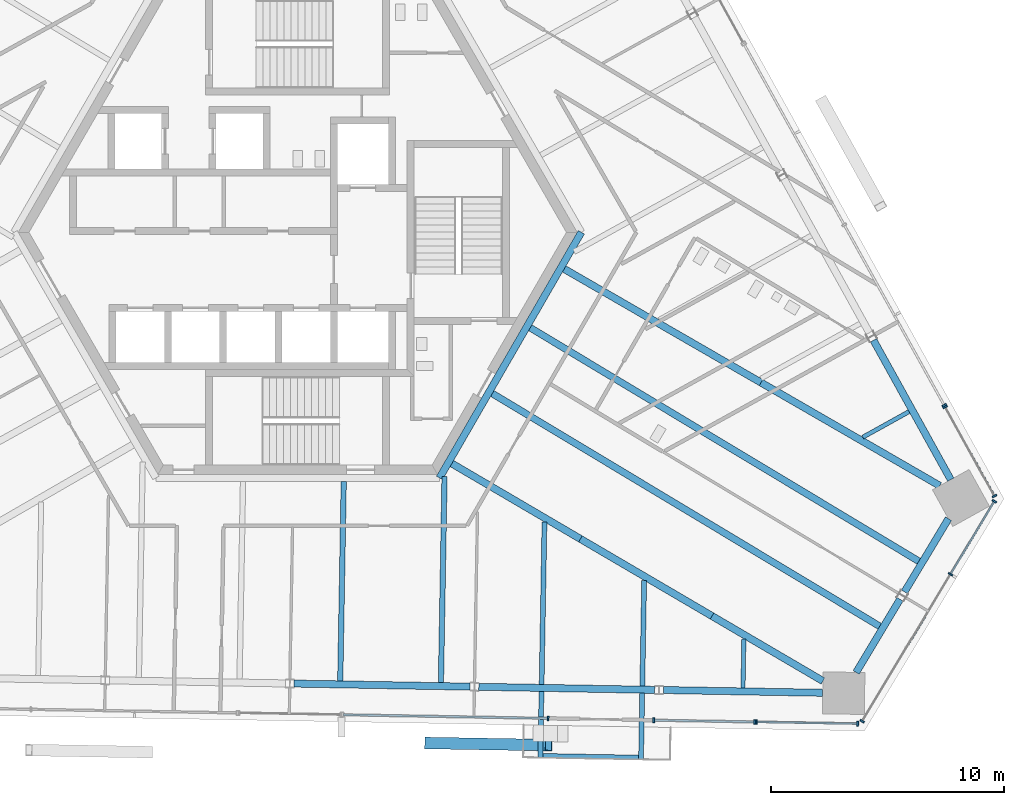
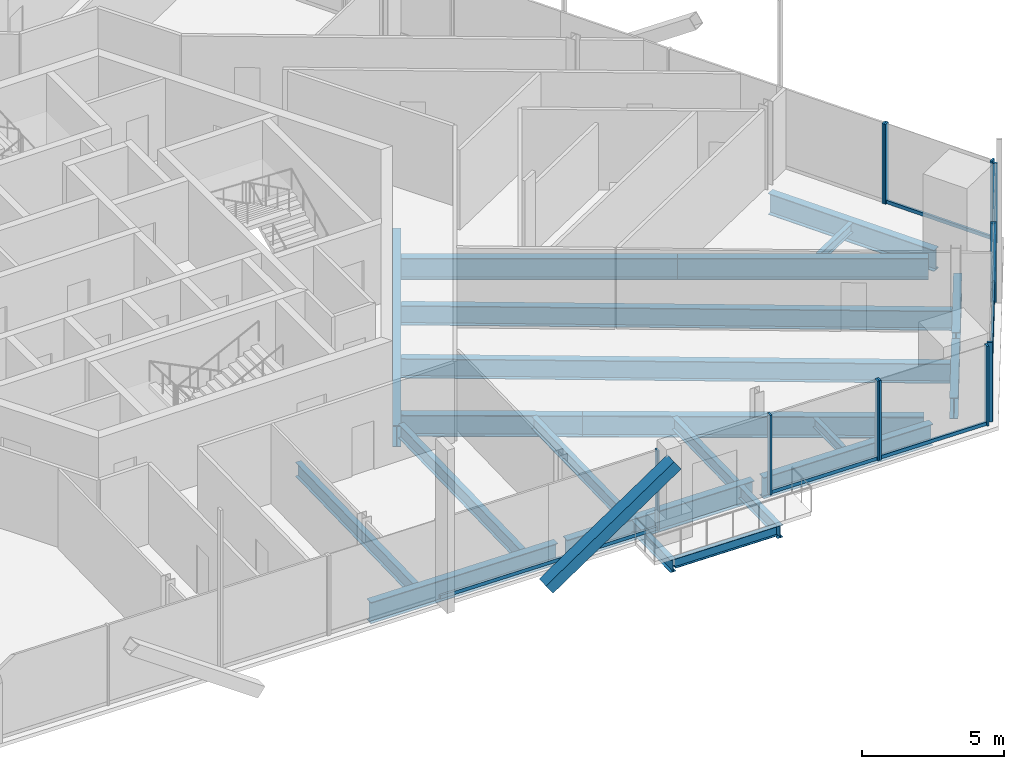
# One storey, part 6 of 21: 23 beams, 18 members, 6 elements without a shape of their own.
"""IFC4 building model written with IfcOpenShell, lengths in metres."""

from ifc_helpers import new_model, si_unit, direction, frame, origin, origin_2d, place, context, subcontext, project, spatial, rectangle, hollow_rectangle, i_section, extrude, source, transform, mapped, material, material_profile, profile_set, type_object, element, aggregate, save


model = new_model("IFC4")

# Units and contexts
model_context = context("Model", 3, precision=1e-05, world=origin(), true_north=direction((0.0, 1.0)))
body_context = subcontext(model_context, "Body", "Model", "MODEL_VIEW")
ifc_project = project(units=[si_unit("LENGTHUNIT", "METRE"), si_unit("AREAUNIT", "SQUARE_METRE"), si_unit("VOLUMEUNIT", "CUBIC_METRE"), si_unit("PLANEANGLEUNIT", "RADIAN"), si_unit("MASSUNIT", "GRAM", prefix="KILO")], contexts=[model_context])

# Site, building, storey
site_placement = place(None, origin())
site = spatial("IfcSite", under=ifc_project, at=site_placement, CompositionType="ELEMENT")
building_placement = place(site_placement, origin())
building = spatial("IfcBuilding", under=site, at=building_placement, Name="Triune Harvest Tower", CompositionType="ELEMENT")
storey_placement = place(building_placement, frame((0.0, 0.0, 201.5)))
storey = spatial("IfcBuildingStorey", under=building, at=storey_placement, Name="L52", CompositionType="ELEMENT", Elevation=201.5)

# Curtain wall, member
ifc_material_1 = material(Name="Aluminium bronze anodised", Category="aluminium")
curtain_wall_type_1 = type_object("IfcCurtainWallType", Name="CW-6 Balcony window wall", PredefinedType="NOTDEFINED", material=ifc_material_1)
curtain_wall_1_placement = place(storey_placement, origin())
curtain_wall_1 = element("IfcCurtainWall", 1, at=curtain_wall_1_placement, inside=storey, type_object=curtain_wall_type_1, Name="CW-6 B5-F5 L52 run 1002")
ifc_material_2 = material(Name="Aluminium bronze anodised", Category="aluminium")
ifc_material_profile_1 = material_profile(ifc_material_2, rectangle(XDim=0.090087890625, YDim=0.14990234375, at=origin_2d()), Name="TR-6 transom 90 x 150")
ifc_profile_set_1 = profile_set([ifc_material_profile_1], Name="Aluminium bronze anodised")
member_type_1 = type_object("IfcMemberType", Name="TR-6 transom 90 x 150", PredefinedType="USERDEFINED", material=ifc_profile_set_1)
member_1_placement = place(storey_placement, frame((19.739013671875, -21.02490234375, 0.074951171875), z_axis=(0.999848615136, -0.017399620986, 0.0), x_axis=(0.017399620986, 0.999848615136, 0.0)))
member_1 = element("IfcMember", 2, at=member_1_placement, type_object=member_type_1, Name="CW-6 transom B5-F5 1002.1", ObjectType="TRANSOM", PredefinedType="USERDEFINED", context=body_context, shape_type="SweptSolid", body=[
    extrude(rectangle(XDim=0.090087890625, YDim=0.14990234375, at=origin_2d()), origin(), (0.0, 0.0, 1.0), 4.265625),
])

# Beams
ifc_material_3 = material(Name="Steel ASTM A992 Gr 50", Category="steel")
ifc_material_profile_2 = material_profile(ifc_material_3, i_section(OverallWidth=0.3046875, OverallDepth=0.914306640625, WebThickness=0.0166015625, FlangeThickness=0.02587890625, at=origin_2d()), Name="W36x160")
ifc_profile_set_2 = profile_set([ifc_material_profile_2], Name="Steel ASTM A992 Gr 50")
beam_type_1 = type_object("IfcBeamType", Name="CG-1 Core ring girder W36x160", PredefinedType="BEAM", material=ifc_profile_set_2)
shared_shape_1 = source(origin(), body_context, "Body", "SweptSolid", [
    extrude(i_section(OverallWidth=0.3046875, OverallDepth=0.914306640625, WebThickness=0.0166015625, FlangeThickness=0.02587890625, at=origin_2d()), origin(), (0.0, 0.0, 1.0), 12.176025390625),
])
beam_1_placement = place(storey_placement, frame((6.087890625, -10.544677734375, -0.6171875), z_axis=(0.5000099932, 0.866019634131, 0.0), x_axis=(-0.866019634131, 0.5000099932, 0.0)))
element("IfcBeam", 3, at=beam_1_placement, inside=storey, type_object=beam_type_1, Name="beam/L52/CG6", PredefinedType="BEAM", context=body_context, shape_type="MappedRepresentation", body=[
    mapped(shared_shape_1, transform((0.0, 0.0, 0.0), scale=1.0)),
])
ifc_material_4 = material(Name="Steel ASTM A992 Gr 50", Category="steel")
ifc_material_profile_3 = material_profile(ifc_material_4, i_section(OverallWidth=0.307373046875, OverallDepth=0.922119140625, WebThickness=0.018310546875, FlangeThickness=0.030029296875, at=origin_2d()), Name="W36x182")
ifc_profile_set_3 = profile_set([ifc_material_profile_3], Name="Steel ASTM A992 Gr 50")
beam_type_2 = type_object("IfcBeamType", Name="HG-2 Hip girder W36x182", PredefinedType="BEAM", material=ifc_profile_set_3)
shared_shape_2 = source(origin(), body_context, "Body", "SweptSolid", [
    extrude(i_section(OverallWidth=0.307373046875, OverallDepth=0.922119140625, WebThickness=0.018310546875, FlangeThickness=0.030029296875, at=origin_2d()), origin(), (0.0, 0.0, 1.0), 9.7568359375),
])
beam_2_placement = place(storey_placement, frame((19.893310546875, -6.451904296875, -0.62109375), z_axis=(-0.866026409454, 0.499998258125, 0.0), x_axis=(-0.499998258125, -0.866026409454, 0.0)))
element("IfcBeam", 4, at=beam_2_placement, inside=storey, type_object=beam_type_2, Name="beam/L52/HG2", PredefinedType="BEAM", context=body_context, shape_type="MappedRepresentation", body=[
    mapped(shared_shape_2, transform((0.0, 0.0, 0.0), scale=1.0)),
])
shared_shape_3 = source(origin(), body_context, "Body", "SweptSolid", [
    extrude(i_section(OverallWidth=0.307373046875, OverallDepth=0.922119140625, WebThickness=0.018310546875, FlangeThickness=0.030029296875, at=origin_2d()), origin(), (0.0, 0.0, 1.0), 6.549560546875),
])
beam_3_placement = place(storey_placement, frame((17.789306640625, -16.475341796875, -0.62109375), z_axis=(-0.862742829324, 0.50564296737, 0.0), x_axis=(-0.50564296737, -0.862742829324, 0.0)))
element("IfcBeam", 5, at=beam_3_placement, inside=storey, type_object=beam_type_2, Name="beam/L52/HG9", PredefinedType="BEAM", context=body_context, shape_type="MappedRepresentation", body=[
    mapped(shared_shape_3, transform((0.0, 0.0, 0.0), scale=1.0)),
])
shared_shape_4 = source(origin(), body_context, "Body", "SweptSolid", [
    extrude(i_section(OverallWidth=0.307373046875, OverallDepth=0.922119140625, WebThickness=0.018310546875, FlangeThickness=0.030029296875, at=origin_2d()), origin(), (0.0, 0.0, 1.0), 6.397216796875),
])
beam_4_placement = place(storey_placement, frame((12.138671875, -13.16357421875, -0.62109375), z_axis=(-0.862754230068, 0.505623514583, 0.0), x_axis=(-0.505623514583, -0.862754230068, 0.0)))
element("IfcBeam", 6, at=beam_4_placement, inside=storey, type_object=beam_type_2, Name="beam/L52/HG10", PredefinedType="BEAM", context=body_context, shape_type="MappedRepresentation", body=[
    mapped(shared_shape_4, transform((0.0, 0.0, 0.0), scale=1.0)),
])
ifc_material_5 = material(Name="Steel ASTM A992 Gr 50", Category="steel")
ifc_material_profile_4 = material_profile(ifc_material_5, i_section(OverallWidth=0.3046875, OverallDepth=0.914306640625, WebThickness=0.0166015625, FlangeThickness=0.02587890625, at=origin_2d()), Name="W36x160")
ifc_profile_set_4 = profile_set([ifc_material_profile_4], Name="Steel ASTM A992 Gr 50")
beam_type_3 = type_object("IfcBeamType", Name="SB-1 Spandrel beam W36x160", PredefinedType="SPANDREL", material=ifc_profile_set_4)
shared_shape_5 = source(origin(), body_context, "Body", "SweptSolid", [
    extrude(i_section(OverallWidth=0.3046875, OverallDepth=0.914306640625, WebThickness=0.0166015625, FlangeThickness=0.02587890625, at=origin_2d()), origin(), (0.0, 0.0, 1.0), 6.841796875),
])
for number, where, z_axis, x_axis, name in (
    (7, (28.0390625, -10.61962890625, -0.6171875), (-0.484833781575, 0.87460631386, 0.0), (-0.87460631386, -0.484833781575, 0.0), "beam/L52/SB1"),
    (8, (15.69921875, -19.65185546875, -0.6171875), (0.999847128578, -0.017484835582, 0.0), (0.017484835582, 0.999847128578, 0.0), "beam/L52/SB22"),
):
    element("IfcBeam", number, at=place(storey_placement, frame(where, z_axis=z_axis, x_axis=x_axis)), inside=storey, type_object=beam_type_3, Name=name, PredefinedType="SPANDREL", context=body_context, shape_type="MappedRepresentation", body=[
        mapped(shared_shape_5, transform((0.0, 0.0, 0.0), scale=1.0)),
    ])
shared_shape_6 = source(origin(), body_context, "Body", "SweptSolid", [
    extrude(i_section(OverallWidth=0.3046875, OverallDepth=0.914306640625, WebThickness=0.0166015625, FlangeThickness=0.02587890625, at=origin_2d()), origin(), (0.0, 0.0, 1.0), 3.66357421875),
])
beam_5_placement = place(storey_placement, frame((23.97509765625, -18.896240234375, -0.6171875), z_axis=(0.51504443288, 0.857163480416, 0.0), x_axis=(-0.857163480416, 0.51504443288, 0.0)))
element("IfcBeam", 9, at=beam_5_placement, inside=storey, type_object=beam_type_3, Name="beam/L52/SB23", PredefinedType="SPANDREL", context=body_context, shape_type="MappedRepresentation", body=[
    mapped(shared_shape_6, transform((0.0, 0.0, 0.0), scale=1.0)),
])
shared_shape_7 = source(origin(), body_context, "Body", "SweptSolid", [
    extrude(i_section(OverallWidth=0.3046875, OverallDepth=0.914306640625, WebThickness=0.0166015625, FlangeThickness=0.02587890625, at=origin_2d()), origin(), (0.0, 0.0, 1.0), 7.556640625),
])
for number, where, z_axis, x_axis, name in (
    (10, (-0.15283203125, -19.375244140625, -0.6171875), (0.999847797686, -0.017446531514, 0.0), (0.017446531514, 0.999847797686, 0.0), "beam/L52/SB20"),
    (11, (7.773193359375, -19.513671875, -0.6171875), (0.999847797686, -0.017446531514, 0.0), (0.017446531514, 0.999847797686, 0.0), "beam/L52/SB21"),
):
    element("IfcBeam", number, at=place(storey_placement, frame(where, z_axis=z_axis, x_axis=x_axis)), inside=storey, type_object=beam_type_3, Name=name, PredefinedType="SPANDREL", context=body_context, shape_type="MappedRepresentation", body=[
        mapped(shared_shape_7, transform((0.0, 0.0, 0.0), scale=1.0)),
    ])
shared_shape_8 = source(origin(), body_context, "Body", "SweptSolid", [
    extrude(i_section(OverallWidth=0.3046875, OverallDepth=0.914306640625, WebThickness=0.0166015625, FlangeThickness=0.02587890625, at=origin_2d()), origin(), (0.0, 0.0, 1.0), 3.663818359375),
])
beam_6_placement = place(storey_placement, frame((26.052978515625, -15.43798828125, -0.6171875), z_axis=(0.515093391182, 0.857134060903, 0.0), x_axis=(-0.857134060903, 0.515093391182, 0.0)))
element("IfcBeam", 12, at=beam_6_placement, inside=storey, type_object=beam_type_3, Name="beam/L52/SB24", PredefinedType="SPANDREL", context=body_context, shape_type="MappedRepresentation", body=[
    mapped(shared_shape_8, transform((0.0, 0.0, 0.0), scale=1.0)),
])
shared_shape_9 = source(origin(), body_context, "Body", "SweptSolid", [
    extrude(i_section(OverallWidth=0.307373046875, OverallDepth=0.922119140625, WebThickness=0.018310546875, FlangeThickness=0.030029296875, at=origin_2d()), origin(), (0.0, 0.0, 1.0), 8.859619140625),
])
beam_7_placement = place(storey_placement, frame((27.56591796875, -10.8818359375, -0.62109375), z_axis=(-0.866018088107, 0.500012670911, 0.0), x_axis=(-0.500012670911, -0.866018088107, 0.0)))
element("IfcBeam", 13, at=beam_7_placement, inside=storey, type_object=beam_type_2, Name="beam/L52/HG1", PredefinedType="BEAM", context=body_context, shape_type="MappedRepresentation", body=[
    mapped(shared_shape_9, transform((0.0, 0.0, 0.0), scale=1.0)),
])
shared_shape_10 = source(origin(), body_context, "Body", "SweptSolid", [
    extrude(i_section(OverallWidth=0.307373046875, OverallDepth=0.922119140625, WebThickness=0.018310546875, FlangeThickness=0.030029296875, at=origin_2d()), origin(), (0.0, 0.0, 1.0), 5.516845703125),
])
beam_8_placement = place(storey_placement, frame((22.548828125, -19.264892578125, -0.62109375), z_axis=(-0.862738579495, 0.505650218482, 0.0), x_axis=(-0.505650218482, -0.862738579495, 0.0)))
element("IfcBeam", 14, at=beam_8_placement, inside=storey, type_object=beam_type_2, Name="beam/L52/HG8", PredefinedType="BEAM", context=body_context, shape_type="MappedRepresentation", body=[
    mapped(shared_shape_10, transform((0.0, 0.0, 0.0), scale=1.0)),
])
ifc_material_6 = material(Name="Steel ASTM A992 Gr 50", Category="steel")
ifc_material_profile_5 = material_profile(ifc_material_6, i_section(OverallWidth=0.180908203125, OverallDepth=0.41650390625, WebThickness=0.010986328125, FlangeThickness=0.01806640625, at=origin_2d()), Name="W16x57")
ifc_profile_set_5 = profile_set([ifc_material_profile_5], Name="Steel ASTM A992 Gr 50")
beam_type_4 = type_object("IfcBeamType", Name="JT-1 Floor joist W16x57", PredefinedType="JOIST", material=ifc_profile_set_5)
shared_shape_11 = source(origin(), body_context, "Body", "SweptSolid", [
    extrude(i_section(OverallWidth=0.180908203125, OverallDepth=0.41650390625, WebThickness=0.010986328125, FlangeThickness=0.01806640625, at=origin_2d()), origin(), (0.0, 0.0, 1.0), 2.266357421875),
])
beam_9_placement = place(storey_placement, frame((26.24560546875, -7.698974609375, -0.368408203125), z_axis=(-0.874639585413, -0.484773757157, 0.0), x_axis=(0.484773757157, -0.874639585413, 0.0)))
element("IfcBeam", 15, at=beam_9_placement, inside=storey, type_object=beam_type_4, Name="beam/L52/JT1", PredefinedType="JOIST", context=body_context, shape_type="MappedRepresentation", body=[
    mapped(shared_shape_11, transform((0.0, 0.0, 0.0), scale=1.0)),
])
ifc_material_7 = material(Name="Steel ASTM A992 Gr 50", Category="steel")
ifc_material_profile_6 = material_profile(ifc_material_7, i_section(OverallWidth=0.2919921875, OverallDepth=0.8408203125, WebThickness=0.0146484375, FlangeThickness=0.021728515625, at=origin_2d()), Name="W33x130")
ifc_profile_set_6 = profile_set([ifc_material_profile_6], Name="Steel ASTM A992 Gr 50")
beam_type_5 = type_object("IfcBeamType", Name="JT-6 Floor joist W33x130", PredefinedType="JOIST", material=ifc_profile_set_6)
shared_shape_12 = source(origin(), body_context, "Body", "SweptSolid", [
    extrude(i_section(OverallWidth=0.2919921875, OverallDepth=0.8408203125, WebThickness=0.0146484375, FlangeThickness=0.021728515625, at=origin_2d()), origin(), (0.0, 0.0, 1.0), 19.403564453125),
])
beam_10_placement = place(storey_placement, frame((24.98779296875, -16.915283203125, -0.580322265625), z_axis=(-0.857165243619, 0.515041498456, 0.0), x_axis=(-0.515041498456, -0.857165243619, 0.0)))
element("IfcBeam", 16, at=beam_10_placement, inside=storey, type_object=beam_type_5, Name="beam/L52/JT35", PredefinedType="JOIST", context=body_context, shape_type="MappedRepresentation", body=[
    mapped(shared_shape_12, transform((0.0, 0.0, 0.0), scale=1.0)),
])
shared_shape_13 = source(origin(), body_context, "Body", "SweptSolid", [
    extrude(i_section(OverallWidth=0.2919921875, OverallDepth=0.8408203125, WebThickness=0.0146484375, FlangeThickness=0.021728515625, at=origin_2d()), origin(), (0.0, 0.0, 1.0), 19.460205078125),
])
beam_11_placement = place(storey_placement, frame((26.666259765625, -14.12158203125, -0.580322265625), z_axis=(-0.85716841359, 0.515036222749, 0.0), x_axis=(-0.515036222749, -0.85716841359, 0.0)))
element("IfcBeam", 17, at=beam_11_placement, inside=storey, type_object=beam_type_5, Name="beam/L52/JT36", PredefinedType="JOIST", context=body_context, shape_type="MappedRepresentation", body=[
    mapped(shared_shape_13, transform((0.0, 0.0, 0.0), scale=1.0)),
])
ifc_material_8 = material(Name="Steel ASTM A992 Gr 50", Category="steel")
ifc_material_profile_7 = material_profile(ifc_material_8, i_section(OverallWidth=0.22900390625, OverallDepth=0.612060546875, WebThickness=0.011962890625, FlangeThickness=0.01953125, at=origin_2d()), Name="W24x84")
ifc_profile_set_7 = profile_set([ifc_material_profile_7], Name="Steel ASTM A992 Gr 50")
beam_type_6 = type_object("IfcBeamType", Name="JT-3 Floor joist W24x84", PredefinedType="JOIST", material=ifc_profile_set_7)
shared_shape_14 = source(origin(), body_context, "Body", "SweptSolid", [
    extrude(i_section(OverallWidth=0.22900390625, OverallDepth=0.612060546875, WebThickness=0.011962890625, FlangeThickness=0.01953125, at=origin_2d()), origin(), (0.0, 0.0, 1.0), 8.5615234375),
])
beam_12_placement = place(storey_placement, frame((1.826171875, -19.25732421875, -0.466064453125), z_axis=(0.017451638412, 0.999847708562, 0.0), x_axis=(-0.999847708562, 0.017451638412, 0.0)))
element("IfcBeam", 18, at=beam_12_placement, inside=storey, type_object=beam_type_6, Name="beam/L52/JT30", PredefinedType="JOIST", context=body_context, shape_type="MappedRepresentation", body=[
    mapped(shared_shape_14, transform((0.0, 0.0, 0.0), scale=1.0)),
])
shared_shape_15 = source(origin(), body_context, "Body", "SweptSolid", [
    extrude(i_section(OverallWidth=0.180908203125, OverallDepth=0.41650390625, WebThickness=0.010986328125, FlangeThickness=0.01806640625, at=origin_2d()), origin(), (0.0, 0.0, 1.0), 2.104736328125),
])
beam_13_placement = place(storey_placement, frame((19.119384765625, -19.55908203125, -0.368408203125), z_axis=(0.017398758065, 0.999848630152, 0.0), x_axis=(-0.999848630152, 0.017398758065, 0.0)))
element("IfcBeam", 19, at=beam_13_placement, inside=storey, type_object=beam_type_4, Name="beam/L52/JT34", PredefinedType="JOIST", context=body_context, shape_type="MappedRepresentation", body=[
    mapped(shared_shape_15, transform((0.0, 0.0, 0.0), scale=1.0)),
])
shared_shape_16 = source(origin(), body_context, "Body", "SweptSolid", [
    extrude(i_section(OverallWidth=0.22900390625, OverallDepth=0.612060546875, WebThickness=0.011962890625, FlangeThickness=0.01953125, at=origin_2d()), origin(), (0.0, 0.0, 1.0), 8.859130859375),
])
beam_14_placement = place(storey_placement, frame((6.1494140625, -19.3330078125, -0.466064453125), z_axis=(0.017472043805, 0.999847352192, 0.0), x_axis=(-0.999847352192, 0.017472043805, 0.0)))
element("IfcBeam", 20, at=beam_14_placement, inside=storey, type_object=beam_type_6, Name="beam/L52/JT31", PredefinedType="JOIST", context=body_context, shape_type="MappedRepresentation", body=[
    mapped(shared_shape_16, transform((0.0, 0.0, 0.0), scale=1.0)),
])
ifc_material_9 = material(Name="Steel ASTM A992 Gr 50", Category="steel")
ifc_material_profile_8 = material_profile(ifc_material_9, i_section(OverallWidth=0.2099609375, OverallDepth=0.535888671875, WebThickness=0.010986328125, FlangeThickness=0.017333984375, at=origin_2d()), Name="W21x68")
ifc_profile_set_8 = profile_set([ifc_material_profile_8], Name="Steel ASTM A992 Gr 50")
beam_type_7 = type_object("IfcBeamType", Name="JT-2 Floor joist W21x68", PredefinedType="JOIST", material=ifc_profile_set_8)
shared_shape_17 = source(origin(), body_context, "Body", "SweptSolid", [
    extrude(i_section(OverallWidth=0.2099609375, OverallDepth=0.535888671875, WebThickness=0.010986328125, FlangeThickness=0.017333984375, at=origin_2d()), origin(), (0.0, 0.0, 1.0), 6.972412109375),
])
beam_15_placement = place(storey_placement, frame((10.47265625, -19.408203125, -0.427978515625), z_axis=(0.017472380522, 0.999847346308, 0.0), x_axis=(-0.999847346308, 0.017472380522, 0.0)))
element("IfcBeam", 21, at=beam_15_placement, inside=storey, type_object=beam_type_7, Name="beam/L52/JT32", PredefinedType="JOIST", context=body_context, shape_type="MappedRepresentation", body=[
    mapped(shared_shape_17, transform((0.0, 0.0, 0.0), scale=1.0)),
])
shared_shape_18 = source(origin(), body_context, "Body", "SweptSolid", [
    extrude(i_section(OverallWidth=0.2099609375, OverallDepth=0.535888671875, WebThickness=0.010986328125, FlangeThickness=0.017333984375, at=origin_2d()), origin(), (0.0, 0.0, 1.0), 4.5390625),
])
beam_16_placement = place(storey_placement, frame((14.7958984375, -19.48388671875, -0.427978515625), z_axis=(0.017480786476, 0.999847199378, 0.0), x_axis=(-0.999847199378, 0.017480786476, 0.0)))
element("IfcBeam", 22, at=beam_16_placement, inside=storey, type_object=beam_type_7, Name="beam/L52/JT33", PredefinedType="JOIST", context=body_context, shape_type="MappedRepresentation", body=[
    mapped(shared_shape_18, transform((0.0, 0.0, 0.0), scale=1.0)),
])

# Member
ifc_material_10 = material(Name="Steel ASTM A572 Gr 50", Category="steel")
ifc_material_profile_9 = material_profile(ifc_material_10, hollow_rectangle(XDim=0.5, YDim=0.5, WallThickness=0.030029296875, at=origin_2d()), Name="Box 500x500x30")
ifc_profile_set_9 = profile_set([ifc_material_profile_9], Name="Steel ASTM A572 Gr 50")
member_type_2 = type_object("IfcMemberType", Name="BR-3 Brace Box 500x500x30", PredefinedType="BRACE", material=ifc_profile_set_9)
shared_shape_19 = source(origin(), body_context, "Body", "SweptSolid", [
    extrude(hollow_rectangle(XDim=0.5, YDim=0.5, WallThickness=0.030029296875, at=origin_2d()), origin(), (0.0, 0.0, 1.0), 6.30322265625),
])
member_2_placement = place(storey_placement, frame((5.59912109375, -21.927978515625, 0.0), z_axis=(0.82071509466, -0.0143312372, 0.571157902018), x_axis=(0.017459228993, 0.999847576045, 0.0)))
element("IfcMember", 23, at=member_2_placement, inside=storey, type_object=member_type_2, Name="brace/B5-F5/d1/7", PredefinedType="BRACE", context=body_context, shape_type="MappedRepresentation", body=[
    mapped(shared_shape_19, transform((0.0, 0.0, 0.0), scale=1.0)),
])

# Curtain wall, members
ifc_material_11 = material(Name="Aluminium bronze anodised", Category="aluminium")
curtain_wall_type_2 = type_object("IfcCurtainWallType", Name="CW-1 Tower stick curtain wall", PredefinedType="NOTDEFINED", material=ifc_material_11)
curtain_wall_2_placement = place(storey_placement, origin())
curtain_wall_2 = element("IfcCurtainWall", 24, at=curtain_wall_2_placement, inside=storey, type_object=curtain_wall_type_2, Name="CW-1 B5-F6 L52 run 1")
ifc_material_12 = material(Name="Aluminium bronze anodised", Category="aluminium")
ifc_material_profile_10 = material_profile(ifc_material_12, rectangle(XDim=0.199951171875, YDim=0.074951171875, at=origin_2d()), Name="MU-1 mullion 75 x 200")
ifc_profile_set_10 = profile_set([ifc_material_profile_10], Name="Aluminium bronze anodised")
member_type_3 = type_object("IfcMemberType", Name="MU-1 mullion 75 x 200", PredefinedType="MULLION", material=ifc_profile_set_10)
shared_shape_20 = source(origin(), body_context, "Body", "SweptSolid", [
    extrude(rectangle(XDim=0.199951171875, YDim=0.074951171875, at=origin_2d()), origin(), (0.0, 0.0, 1.0), 3.43994140625),
])
member_3_placement = place(storey_placement, frame((24.234619140625, -20.992919921875, 0.0), z_axis=(0.0, 0.0, 1.0), x_axis=(-0.857168135313, 0.515036685882, 0.0)))
member_3 = element("IfcMember", 25, at=member_3_placement, type_object=member_type_3, Name="CW-1 mullion B5-F6 1.1", PredefinedType="MULLION", context=body_context, shape_type="MappedRepresentation", body=[
    mapped(shared_shape_20, transform((0.0, 0.0, 0.0), scale=1.0)),
])
member_4_placement = place(storey_placement, frame((28.026611328125, -14.681884765625, 0.0), z_axis=(0.0, 0.0, 1.0), x_axis=(-0.857168135313, 0.515036685882, 0.0)))
member_4 = element("IfcMember", 26, at=member_4_placement, type_object=member_type_3, Name="CW-1 mullion B5-F6 1.3", PredefinedType="MULLION", context=body_context, shape_type="MappedRepresentation", body=[
    mapped(shared_shape_20, transform((0.0, 0.0, 0.0), scale=1.0)),
])
member_5_placement = place(storey_placement, frame((29.912841796875, -11.54248046875, 0.0), z_axis=(0.0, 0.0, 1.0), x_axis=(-0.857168135313, 0.515036685882, 0.0)))
member_5 = element("IfcMember", 27, at=member_5_placement, type_object=member_type_3, Name="CW-1 mullion B5-F6 1.4", PredefinedType="MULLION", context=body_context, shape_type="MappedRepresentation", body=[
    mapped(shared_shape_20, transform((0.0, 0.0, 0.0), scale=1.0)),
])

curtain_wall_3_placement = place(storey_placement, origin())
curtain_wall_3 = element("IfcCurtainWall", 28, at=curtain_wall_3_placement, inside=storey, type_object=curtain_wall_type_1, Name="CW-6 B5-F1 L52 run 1")
ifc_material_13 = material(Name="Aluminium bronze anodised", Category="aluminium")
ifc_material_profile_11 = material_profile(ifc_material_13, rectangle(XDim=0.199951171875, YDim=0.074951171875, at=origin_2d()), Name="MU-6 mullion 75 x 200")
ifc_profile_set_11 = profile_set([ifc_material_profile_11], Name="Aluminium bronze anodised")
member_type_4 = type_object("IfcMemberType", Name="MU-6 mullion 75 x 200", PredefinedType="MULLION", material=ifc_profile_set_11)
shared_shape_21 = source(origin(), body_context, "Body", "SweptSolid", [
    extrude(rectangle(XDim=0.199951171875, YDim=0.074951171875, at=origin_2d()), origin(), (0.0, 0.0, 1.0), 3.43994140625),
])
member_6_placement = place(storey_placement, frame((29.916748046875, -11.321533203125, 0.0), z_axis=(0.0, 0.0, 1.0), x_axis=(-0.87462139036, -0.484806583624, 0.0)))
member_6 = element("IfcMember", 29, at=member_6_placement, type_object=member_type_4, Name="CW-6 mullion B5-F1 1.1", PredefinedType="MULLION", context=body_context, shape_type="MappedRepresentation", body=[
    mapped(shared_shape_21, transform((0.0, 0.0, 0.0), scale=1.0)),
])
member_7_placement = place(storey_placement, frame((27.796142578125, -7.49560546875, 0.0), z_axis=(0.0, 0.0, 1.0), x_axis=(-0.87462139036, -0.484806583624, 0.0)))
member_7 = element("IfcMember", 30, at=member_7_placement, type_object=member_type_4, Name="CW-6 mullion B5-F1 1.2", PredefinedType="MULLION", context=body_context, shape_type="MappedRepresentation", body=[
    mapped(shared_shape_21, transform((0.0, 0.0, 0.0), scale=1.0)),
])

# Curtain wall, member
ifc_material_14 = material(Name="Aluminium bronze anodised", Category="aluminium")
curtain_wall_type_3 = type_object("IfcCurtainWallType", Name="CW-10 Balcony window wall with insulated spandrel infill", PredefinedType="NOTDEFINED", material=ifc_material_14)
curtain_wall_4_placement = place(storey_placement, origin())
curtain_wall_4 = element("IfcCurtainWall", 31, at=curtain_wall_4_placement, inside=storey, type_object=curtain_wall_type_3, Name="CW-10 B5-F1 L52 run 1001")
member_8_placement = place(storey_placement, frame((27.759765625, -7.43017578125, 0.0), z_axis=(0.0, 0.0, 1.0), x_axis=(-0.874620424879, -0.484808325408, 0.0)))
member_8 = element("IfcMember", 32, at=member_8_placement, type_object=member_type_4, Name="CW-10 mullion B5-F1 1001.1", PredefinedType="MULLION", context=body_context, shape_type="MappedRepresentation", body=[
    mapped(shared_shape_21, transform((0.0, 0.0, 0.0), scale=1.0)),
])
aggregate(curtain_wall_4, [member_8])

curtain_wall_5_placement = place(storey_placement, origin())
curtain_wall_5 = element("IfcCurtainWall", 33, at=curtain_wall_5_placement, inside=storey, type_object=curtain_wall_type_3, Name="CW-10 B5-F5 L52 run 3001")
member_9_placement = place(storey_placement, frame((10.75146484375, -20.867919921875, 0.0), z_axis=(0.0, 0.0, 1.0), x_axis=(0.017447722617, 0.999847776902, 0.0)))
member_9 = element("IfcMember", 34, at=member_9_placement, type_object=member_type_4, Name="CW-10 mullion B5-F5 3001.3", PredefinedType="MULLION", context=body_context, shape_type="MappedRepresentation", body=[
    mapped(shared_shape_21, transform((0.0, 0.0, 0.0), scale=1.0)),
])

# Curtain wall, members
curtain_wall_6_placement = place(storey_placement, origin())
curtain_wall_6 = element("IfcCurtainWall", 35, at=curtain_wall_6_placement, inside=storey, type_object=curtain_wall_type_3, Name="CW-10 B5-F5 L52 run 2")
member_10_placement = place(storey_placement, frame((15.286376953125, -20.947021484375, 0.0), z_axis=(0.0, 0.0, 1.0), x_axis=(0.017458437359, 0.999847589868, 0.0)))
member_10 = element("IfcMember", 36, at=member_10_placement, type_object=member_type_4, Name="CW-10 mullion B5-F5 2.1", PredefinedType="MULLION", context=body_context, shape_type="MappedRepresentation", body=[
    mapped(shared_shape_21, transform((0.0, 0.0, 0.0), scale=1.0)),
])
member_11_placement = place(storey_placement, frame((19.62646484375, -21.02294921875, 0.0), z_axis=(0.0, 0.0, 1.0), x_axis=(0.017458437359, 0.999847589868, 0.0)))
member_11 = element("IfcMember", 37, at=member_11_placement, type_object=member_type_4, Name="CW-10 mullion B5-F5 2.2", PredefinedType="MULLION", context=body_context, shape_type="MappedRepresentation", body=[
    mapped(shared_shape_21, transform((0.0, 0.0, 0.0), scale=1.0)),
])

# Member
member_12_placement = place(storey_placement, frame((19.701416015625, -21.024169921875, 0.0), z_axis=(0.0, 0.0, 1.0), x_axis=(0.017444877553, 0.999847826545, 0.0)))
member_12 = element("IfcMember", 38, at=member_12_placement, type_object=member_type_4, Name="CW-6 mullion B5-F5 1002.1", PredefinedType="MULLION", context=body_context, shape_type="MappedRepresentation", body=[
    mapped(shared_shape_21, transform((0.0, 0.0, 0.0), scale=1.0)),
])

member_13_placement = place(storey_placement, frame((24.04150390625, -21.099853515625, 0.0), z_axis=(0.0, 0.0, 1.0), x_axis=(0.017444877553, 0.999847826545, 0.0)))
member_13 = element("IfcMember", 39, at=member_13_placement, type_object=member_type_4, Name="CW-6 mullion B5-F5 1002.2", PredefinedType="MULLION", context=body_context, shape_type="MappedRepresentation", body=[
    mapped(shared_shape_21, transform((0.0, 0.0, 0.0), scale=1.0)),
])

aggregate(curtain_wall_1, [member_12, member_13, member_1])

ifc_material_15 = material(Name="Aluminium bronze anodised", Category="aluminium")
ifc_material_profile_12 = material_profile(ifc_material_15, rectangle(XDim=0.090087890625, YDim=0.89990234375, at=origin_2d()), Name="TR-1 transom 90 x 900")
ifc_profile_set_12 = profile_set([ifc_material_profile_12], Name="Aluminium bronze anodised")
member_type_5 = type_object("IfcMemberType", Name="TR-1 transom 90 x 900", PredefinedType="USERDEFINED", material=ifc_profile_set_12)
shared_shape_22 = source(origin(), body_context, "Body", "SweptSolid", [
    extrude(rectangle(XDim=0.090087890625, YDim=0.89990234375, at=origin_2d()), origin(), (0.0, 0.0, 1.0), 7.287841796875),
])
member_14_placement = place(storey_placement, frame((24.25390625, -20.960693359375, 0.449951171875), z_axis=(0.515032643637, 0.857170564117, 0.0), x_axis=(-0.857170564117, 0.515032643637, 0.0)))
member_14 = element("IfcMember", 40, at=member_14_placement, type_object=member_type_5, Name="CW-1 transom B5-F6 1.1", ObjectType="TRANSOM", PredefinedType="USERDEFINED", context=body_context, shape_type="MappedRepresentation", body=[
    mapped(shared_shape_22, transform((0.0, 0.0, 0.0), scale=1.0)),
])

shared_shape_23 = source(origin(), body_context, "Body", "SweptSolid", [
    extrude(rectangle(XDim=0.090087890625, YDim=0.89990234375, at=origin_2d()), origin(), (0.0, 0.0, 1.0), 3.587646484375),
])
member_15_placement = place(storey_placement, frame((28.0458984375, -14.649658203125, 0.449951171875), z_axis=(0.515016056834, 0.857180530112, 0.0), x_axis=(-0.857180530112, 0.515016056834, 0.0)))
member_15 = element("IfcMember", 41, at=member_15_placement, type_object=member_type_5, Name="CW-1 transom B5-F6 1.2", ObjectType="TRANSOM", PredefinedType="USERDEFINED", context=body_context, shape_type="MappedRepresentation", body=[
    mapped(shared_shape_23, transform((0.0, 0.0, 0.0), scale=1.0)),
])

aggregate(curtain_wall_2, [member_3, member_4, member_5, member_14, member_15])

shared_shape_24 = source(origin(), body_context, "Body", "SweptSolid", [
    extrude(rectangle(XDim=0.090087890625, YDim=0.14990234375, at=origin_2d()), origin(), (0.0, 0.0, 1.0), 8.748779296875),
])
member_16_placement = place(storey_placement, frame((1.966552734375, -20.714599609375, 0.074951171875), z_axis=(0.999847897158, -0.017440829911, 0.0), x_axis=(0.017440829911, 0.999847897158, 0.0)))
member_16 = element("IfcMember", 42, at=member_16_placement, type_object=member_type_1, Name="CW-10 transom B5-F5 3001.1", ObjectType="TRANSOM", PredefinedType="USERDEFINED", context=body_context, shape_type="MappedRepresentation", body=[
    mapped(shared_shape_24, transform((0.0, 0.0, 0.0), scale=1.0)),
])

aggregate(curtain_wall_5, [member_9, member_16])

# Beams
ifc_material_16 = material(Name="Steel ASTM A992 Gr 50", Category="steel")
ifc_material_profile_13 = material_profile(ifc_material_16, i_section(OverallWidth=0.2099609375, OverallDepth=0.535888671875, WebThickness=0.010986328125, FlangeThickness=0.017333984375, at=origin_2d()), Name="W21x68")
ifc_profile_set_13 = profile_set([ifc_material_profile_13], Name="Steel ASTM A992 Gr 50")
beam_type_8 = type_object("IfcBeamType", Name="BJ-2 Balcony cantilever joist W21x68", PredefinedType="JOIST", material=ifc_profile_set_13)
shared_shape_25 = source(origin(), body_context, "Body", "SweptSolid", [
    extrude(i_section(OverallWidth=0.2099609375, OverallDepth=0.535888671875, WebThickness=0.010986328125, FlangeThickness=0.017333984375, at=origin_2d()), origin(), (0.0, 0.0, 1.0), 2.843505859375),
])
for number, where, z_axis, x_axis, name in (
    (43, (14.790771484375, -19.78857421875, -0.427978515625), (-0.017429726271, -0.999848090783, 0.0), (0.999848090783, -0.017429726271, 0.0), "Balcony cantilever joist B5-F5 L52.9a"),
    (44, (10.46728515625, -19.713134765625, -0.427978515625), (-0.017429726271, -0.999848090783, 0.0), (0.999848090783, -0.017429726271, 0.0), "Balcony cantilever joist B5-F5 L52.9b"),
):
    element("IfcBeam", number, at=place(storey_placement, frame(where, z_axis=z_axis, x_axis=x_axis)), inside=storey, type_object=beam_type_8, Name=name, PredefinedType="JOIST", context=body_context, shape_type="MappedRepresentation", body=[
        mapped(shared_shape_25, transform((0.0, 0.0, 0.0), scale=1.0)),
    ])
ifc_material_17 = material(Name="Steel ASTM A992 Gr 50", Category="steel")
ifc_material_profile_14 = material_profile(ifc_material_17, i_section(OverallWidth=0.180908203125, OverallDepth=0.41650390625, WebThickness=0.010986328125, FlangeThickness=0.01806640625, at=origin_2d()), Name="W16x57")
ifc_profile_set_14 = profile_set([ifc_material_profile_14], Name="Steel ASTM A992 Gr 50")
beam_type_9 = type_object("IfcBeamType", Name="BE-1 balcony edge beam W16x57", PredefinedType="BEAM", material=ifc_profile_set_14)
shared_shape_26 = source(origin(), body_context, "Body", "SweptSolid", [
    extrude(i_section(OverallWidth=0.180908203125, OverallDepth=0.41650390625, WebThickness=0.010986328125, FlangeThickness=0.01806640625, at=origin_2d()), origin(), (0.0, 0.0, 1.0), 4.114013671875),
])
beam_17_placement = place(storey_placement, frame((10.5244140625, -22.467529296875, -0.368408203125), z_axis=(0.999847781027, -0.017447486207, 0.0), x_axis=(0.017447486207, 0.999847781027, 0.0)))
element("IfcBeam", 45, at=beam_17_placement, inside=storey, type_object=beam_type_9, Name="Balcony edge beam B5-F5 L52.9", PredefinedType="BEAM", context=body_context, shape_type="MappedRepresentation", body=[
    mapped(shared_shape_26, transform((0.0, 0.0, 0.0), scale=1.0)),
])

# Member
shared_shape_27 = source(origin(), body_context, "Body", "SweptSolid", [
    extrude(rectangle(XDim=0.090087890625, YDim=0.14990234375, at=origin_2d()), origin(), (0.0, 0.0, 1.0), 4.29931640625),
])
member_17_placement = place(storey_placement, frame((29.898681640625, -11.288818359375, 0.074951171875), z_axis=(-0.484832728876, 0.874606897418, 0.0), x_axis=(-0.874606897418, -0.484832728876, 0.0)))
member_17 = element("IfcMember", 46, at=member_17_placement, type_object=member_type_1, Name="CW-6 transom B5-F1 1.1", ObjectType="TRANSOM", PredefinedType="USERDEFINED", context=body_context, shape_type="MappedRepresentation", body=[
    mapped(shared_shape_27, transform((0.0, 0.0, 0.0), scale=1.0)),
])

aggregate(curtain_wall_3, [member_6, member_7, member_17])

shared_shape_28 = source(origin(), body_context, "Body", "SweptSolid", [
    extrude(rectangle(XDim=0.090087890625, YDim=0.14990234375, at=origin_2d()), origin(), (0.0, 0.0, 1.0), 4.265869140625),
])
member_18_placement = place(storey_placement, frame((15.323974609375, -20.94775390625, 0.074951171875), z_axis=(0.999847635213, -0.017455840226, 0.0), x_axis=(0.017455840226, 0.999847635213, 0.0)))
member_18 = element("IfcMember", 47, at=member_18_placement, type_object=member_type_1, Name="CW-10 transom B5-F5 2.1", ObjectType="TRANSOM", PredefinedType="USERDEFINED", context=body_context, shape_type="MappedRepresentation", body=[
    mapped(shared_shape_28, transform((0.0, 0.0, 0.0), scale=1.0)),
])

aggregate(curtain_wall_6, [member_10, member_11, member_18])

save(model, "model.ifc")
